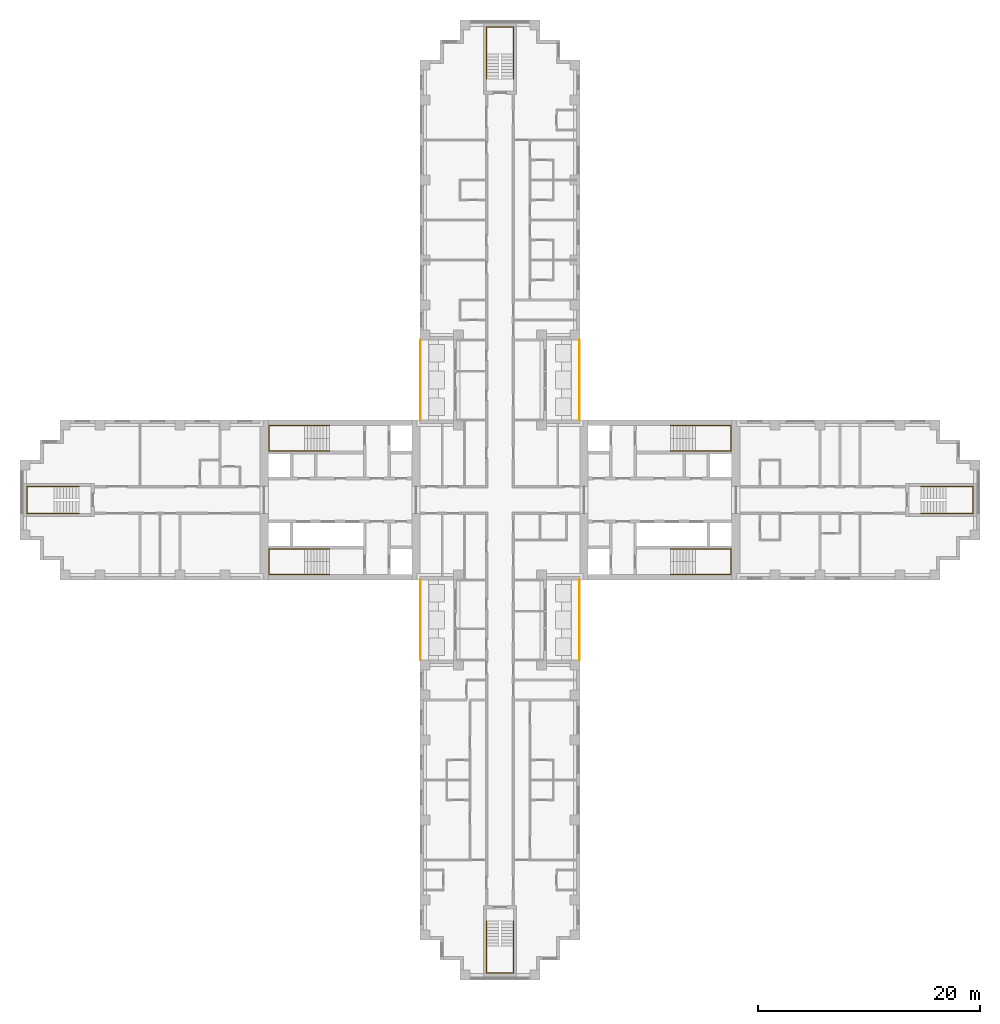
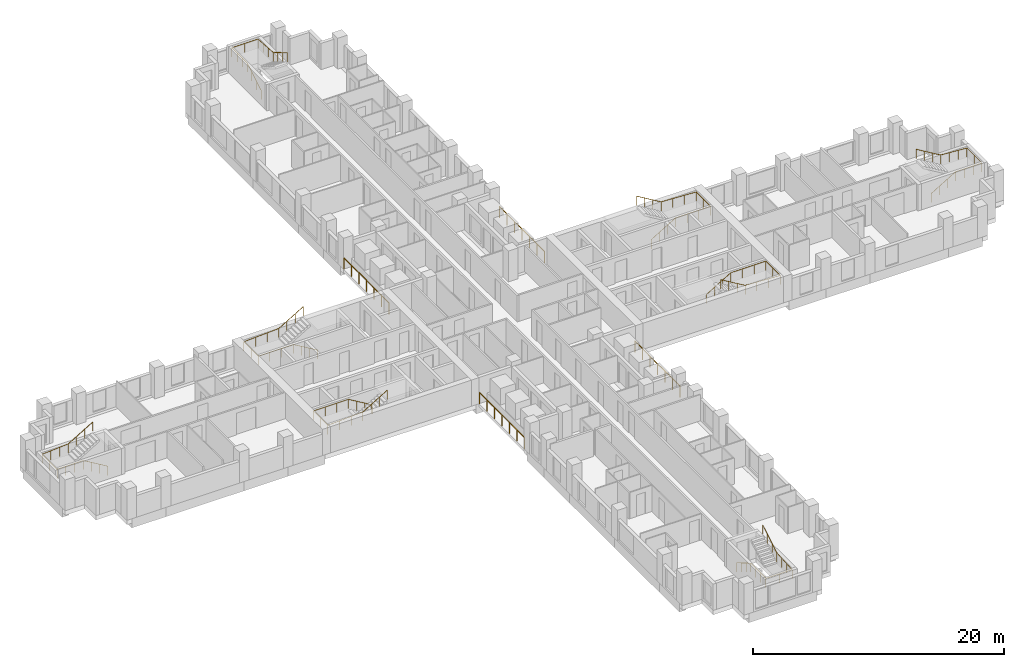
# One storey, part 14 of 15: 12 railings.
"""IFC4 building model written with IfcOpenShell, lengths in metres."""

from ifc_helpers import new_model, si_unit, direction, frame, origin, origin_2d, place, context, subcontext, project, spatial, circle, extrude, material, type_object, element, save


model = new_model("IFC4")

# Units and contexts
model_context = context("Model", 3, precision=1e-05, world=origin(), true_north=direction((0.0, 1.0)))
body_context = subcontext(model_context, "Body", "Model", "MODEL_VIEW")
ifc_project = project(units=[si_unit("LENGTHUNIT", "METRE"), si_unit("AREAUNIT", "SQUARE_METRE"), si_unit("VOLUMEUNIT", "CUBIC_METRE"), si_unit("PLANEANGLEUNIT", "RADIAN"), si_unit("MASSUNIT", "GRAM", prefix="KILO")], contexts=[model_context])

# Site, building, storey
site_placement = place(None, origin())
site = spatial("IfcSite", under=ifc_project, at=site_placement, CompositionType="ELEMENT")
building_placement = place(site_placement, origin())
building = spatial("IfcBuilding", under=site, at=building_placement, Name="Fustian Cross Tower", CompositionType="ELEMENT")
storey_placement = place(building_placement, frame((0.0, 0.0, 59.699951171875)))
storey = spatial("IfcBuildingStorey", under=building, at=storey_placement, Name="L18", CompositionType="ELEMENT", Elevation=59.699951171875)

# Railings
ifc_material_1 = material(Name="Stainless steel and glass", Category="steel")
railing_type_1 = type_object("IfcRailingType", Name="GR1 BALCONY GUARD 1100", PredefinedType="GUARDRAIL", material=ifc_material_1)
for number, where, name in (
    (1, (7.14990234375, 7.199951171875, 0.0), "Balcony guard"),
    (2, (-7.14990234375, 7.199951171875, 0.0), "Balcony guard"),
    (3, (7.14990234375, -14.39990234375, 0.0), "Balcony guard"),
    (4, (-7.14990234375, -14.39990234375, 0.0), "Balcony guard"),
):
    element("IfcRailing", number, at=place(storey_placement, frame(where)), inside=storey, type_object=railing_type_1, Name=name, PredefinedType="GUARDRAIL", context=body_context, shape_type="SweptSolid", body=[
        extrude(circle(Radius=0.02392578125, at=origin_2d()), frame((0.0, 0.0, 1.076171875), z_axis=(0.0, 1.0, 0.0), x_axis=(-1.0, 0.0, 0.0)), (0.0, 0.0, 1.0), 7.199951171875),
        extrude(circle(Radius=0.02099609375, at=origin_2d()), origin(), (0.0, 0.0, 1.0), 1.052001953125),
        extrude(circle(Radius=0.02099609375, at=origin_2d()), frame((0.0, 1.199951171875, 0.0)), (0.0, 0.0, 1.0), 1.052001953125),
        extrude(circle(Radius=0.02099609375, at=origin_2d()), frame((0.0, 2.39990234375, 0.0)), (0.0, 0.0, 1.0), 1.052001953125),
        extrude(circle(Radius=0.02099609375, at=origin_2d()), frame((0.0, 3.60009765625, 0.0)), (0.0, 0.0, 1.0), 1.052001953125),
        extrude(circle(Radius=0.02099609375, at=origin_2d()), frame((0.0, 4.800048828125, 0.0)), (0.0, 0.0, 1.0), 1.052001953125),
        extrude(circle(Radius=0.02099609375, at=origin_2d()), frame((0.0, 6.0, 0.0)), (0.0, 0.0, 1.0), 1.052001953125),
        extrude(circle(Radius=0.02099609375, at=origin_2d()), frame((0.0, 7.199951171875, 0.0)), (0.0, 0.0, 1.0), 1.052001953125),
    ])
ifc_material_2 = material(Name="Stainless steel", Category="steel")
railing_type_2 = type_object("IfcRailingType", Name="STAIR HANDRAIL", PredefinedType="HANDRAIL", material=ifc_material_2)
railing_1_placement = place(storey_placement, frame((15.35009765625, 4.39990234375, 0.166748046875)))
element("IfcRailing", 5, at=railing_1_placement, inside=storey, type_object=railing_type_2, Name="Stair ST1 handrail 1", PredefinedType="HANDRAIL", context=body_context, shape_type="SweptSolid", body=[
    extrude(circle(Radius=0.02490234375, at=origin_2d()), frame((0.0, 0.0, 0.875), z_axis=(0.859305625298, 0.0, 0.511462454469), x_axis=(0.0, 1.0, 0.0)), (0.0, 0.0, 1.0), 2.606689453125),
    extrude(circle(Radius=0.02490234375, at=origin_2d()), frame((2.239990234375, 0.0, 2.2080078125), z_axis=(1.0, 0.0, 0.0), x_axis=(0.0, 1.0, 0.0)), (0.0, 0.0, 1.0), 3.219970703125),
    extrude(circle(Radius=0.02490234375, at=origin_2d()), frame((5.4599609375, 0.0, 2.2080078125), z_axis=(0.0, 1.0, 0.0), x_axis=(-1.0, 0.0, 0.0)), (0.0, 0.0, 1.0), 2.300048828125),
    extrude(circle(Radius=0.02490234375, at=origin_2d()), frame((5.4599609375, 2.300048828125, 2.2080078125), z_axis=(-0.998661817807, 0.0, 0.051716280352), x_axis=(0.0, -1.0, 0.0)), (0.0, 0.0, 1.0), 3.224365234375),
    extrude(circle(Radius=0.02490234375, at=origin_2d()), frame((2.239990234375, 2.300048828125, 2.375), z_axis=(-0.859305625298, 0.0, 0.511462454469), x_axis=(0.0, -1.0, 0.0)), (0.0, 0.0, 1.0), 2.606689453125),
    extrude(circle(Radius=0.02001953125, at=origin_2d()), origin(), (0.0, 0.0, 1.0), 0.849853515625),
    extrude(circle(Radius=0.02001953125, at=origin_2d()), frame((0.74658203125, 0.0, 0.4443359375)), (0.0, 0.0, 1.0), 0.849853515625),
    extrude(circle(Radius=0.02001953125, at=origin_2d()), frame((1.493408203125, 0.0, 0.888916015625)), (0.0, 0.0, 1.0), 0.849853515625),
    extrude(circle(Radius=0.02001953125, at=origin_2d()), frame((2.239990234375, 0.0, 1.333251953125)), (0.0, 0.0, 1.0), 0.849853515625),
    extrude(circle(Radius=0.02001953125, at=origin_2d()), frame((3.313232421875, 0.0, 1.333251953125)), (0.0, 0.0, 1.0), 0.849853515625),
    extrude(circle(Radius=0.02001953125, at=origin_2d()), frame((4.38671875, 0.0, 1.333251953125)), (0.0, 0.0, 1.0), 0.849853515625),
    extrude(circle(Radius=0.02001953125, at=origin_2d()), frame((5.4599609375, 0.0, 1.333251953125)), (0.0, 0.0, 1.0), 0.849853515625),
    extrude(circle(Radius=0.02001953125, at=origin_2d()), frame((5.4599609375, 1.14990234375, 1.333251953125)), (0.0, 0.0, 1.0), 0.849853515625),
    extrude(circle(Radius=0.02001953125, at=origin_2d()), frame((5.4599609375, 2.300048828125, 1.333251953125)), (0.0, 0.0, 1.0), 0.849853515625),
    extrude(circle(Radius=0.02001953125, at=origin_2d()), frame((4.38671875, 2.300048828125, 1.388916015625)), (0.0, 0.0, 1.0), 0.849853515625),
    extrude(circle(Radius=0.02001953125, at=origin_2d()), frame((3.313232421875, 2.300048828125, 1.4443359375)), (0.0, 0.0, 1.0), 0.849853515625),
    extrude(circle(Radius=0.02001953125, at=origin_2d()), frame((2.239990234375, 2.300048828125, 1.5)), (0.0, 0.0, 1.0), 0.849853515625),
    extrude(circle(Radius=0.02001953125, at=origin_2d()), frame((1.493408203125, 2.300048828125, 1.9443359375)), (0.0, 0.0, 1.0), 0.849853515625),
    extrude(circle(Radius=0.02001953125, at=origin_2d()), frame((0.74658203125, 2.300048828125, 2.388916015625)), (0.0, 0.0, 1.0), 0.849853515625),
    extrude(circle(Radius=0.02001953125, at=origin_2d()), frame((0.0, 2.300048828125, 2.833251953125)), (0.0, 0.0, 1.0), 0.849853515625),
])
railing_2_placement = place(storey_placement, frame((15.35009765625, -4.39990234375, 0.166748046875)))
element("IfcRailing", 6, at=railing_2_placement, inside=storey, type_object=railing_type_2, Name="Stair ST2 handrail 1", PredefinedType="HANDRAIL", context=body_context, shape_type="SweptSolid", body=[
    extrude(circle(Radius=0.02490234375, at=origin_2d()), frame((0.0, 0.0, 0.875), z_axis=(0.859305625298, 0.0, 0.511462454469), x_axis=(0.0, 1.0, 0.0)), (0.0, 0.0, 1.0), 2.606689453125),
    extrude(circle(Radius=0.02490234375, at=origin_2d()), frame((2.239990234375, 0.0, 2.2080078125), z_axis=(1.0, 0.0, 0.0), x_axis=(0.0, 1.0, 0.0)), (0.0, 0.0, 1.0), 3.219970703125),
    extrude(circle(Radius=0.02490234375, at=origin_2d()), frame((5.4599609375, 0.0, 2.2080078125), z_axis=(0.0, -1.0, 0.0), x_axis=(1.0, 0.0, 0.0)), (0.0, 0.0, 1.0), 2.300048828125),
    extrude(circle(Radius=0.02490234375, at=origin_2d()), frame((5.4599609375, -2.300048828125, 2.2080078125), z_axis=(-0.998661817807, 0.0, 0.051716280352), x_axis=(0.0, -1.0, 0.0)), (0.0, 0.0, 1.0), 3.224365234375),
    extrude(circle(Radius=0.02490234375, at=origin_2d()), frame((2.239990234375, -2.300048828125, 2.375), z_axis=(-0.859305625298, 0.0, 0.511462454469), x_axis=(0.0, -1.0, 0.0)), (0.0, 0.0, 1.0), 2.606689453125),
    extrude(circle(Radius=0.02001953125, at=origin_2d()), origin(), (0.0, 0.0, 1.0), 0.849853515625),
    extrude(circle(Radius=0.02001953125, at=origin_2d()), frame((0.74658203125, 0.0, 0.4443359375)), (0.0, 0.0, 1.0), 0.849853515625),
    extrude(circle(Radius=0.02001953125, at=origin_2d()), frame((1.493408203125, 0.0, 0.888916015625)), (0.0, 0.0, 1.0), 0.849853515625),
    extrude(circle(Radius=0.02001953125, at=origin_2d()), frame((2.239990234375, 0.0, 1.333251953125)), (0.0, 0.0, 1.0), 0.849853515625),
    extrude(circle(Radius=0.02001953125, at=origin_2d()), frame((3.313232421875, 0.0, 1.333251953125)), (0.0, 0.0, 1.0), 0.849853515625),
    extrude(circle(Radius=0.02001953125, at=origin_2d()), frame((4.38671875, 0.0, 1.333251953125)), (0.0, 0.0, 1.0), 0.849853515625),
    extrude(circle(Radius=0.02001953125, at=origin_2d()), frame((5.4599609375, 0.0, 1.333251953125)), (0.0, 0.0, 1.0), 0.849853515625),
    extrude(circle(Radius=0.02001953125, at=origin_2d()), frame((5.4599609375, -1.14990234375, 1.333251953125)), (0.0, 0.0, 1.0), 0.849853515625),
    extrude(circle(Radius=0.02001953125, at=origin_2d()), frame((5.4599609375, -2.300048828125, 1.333251953125)), (0.0, 0.0, 1.0), 0.849853515625),
    extrude(circle(Radius=0.02001953125, at=origin_2d()), frame((4.38671875, -2.300048828125, 1.388916015625)), (0.0, 0.0, 1.0), 0.849853515625),
    extrude(circle(Radius=0.02001953125, at=origin_2d()), frame((3.313232421875, -2.300048828125, 1.4443359375)), (0.0, 0.0, 1.0), 0.849853515625),
    extrude(circle(Radius=0.02001953125, at=origin_2d()), frame((2.239990234375, -2.300048828125, 1.5)), (0.0, 0.0, 1.0), 0.849853515625),
    extrude(circle(Radius=0.02001953125, at=origin_2d()), frame((1.493408203125, -2.300048828125, 1.9443359375)), (0.0, 0.0, 1.0), 0.849853515625),
    extrude(circle(Radius=0.02001953125, at=origin_2d()), frame((0.74658203125, -2.300048828125, 2.388916015625)), (0.0, 0.0, 1.0), 0.849853515625),
    extrude(circle(Radius=0.02001953125, at=origin_2d()), frame((0.0, -2.300048828125, 2.833251953125)), (0.0, 0.0, 1.0), 0.849853515625),
])
railing_3_placement = place(storey_placement, frame((-15.35009765625, 4.39990234375, 0.166748046875)))
element("IfcRailing", 7, at=railing_3_placement, inside=storey, type_object=railing_type_2, Name="Stair ST3 handrail 1", PredefinedType="HANDRAIL", context=body_context, shape_type="SweptSolid", body=[
    extrude(circle(Radius=0.02490234375, at=origin_2d()), frame((0.0, 0.0, 0.875), z_axis=(-0.859305625298, 0.0, 0.511462454469), x_axis=(0.0, -1.0, 0.0)), (0.0, 0.0, 1.0), 2.606689453125),
    extrude(circle(Radius=0.02490234375, at=origin_2d()), frame((-2.239990234375, 0.0, 2.2080078125), z_axis=(-1.0, 0.0, 0.0), x_axis=(0.0, -1.0, 0.0)), (0.0, 0.0, 1.0), 3.219970703125),
    extrude(circle(Radius=0.02490234375, at=origin_2d()), frame((-5.4599609375, 0.0, 2.2080078125), z_axis=(0.0, 1.0, 0.0), x_axis=(-1.0, 0.0, 0.0)), (0.0, 0.0, 1.0), 2.300048828125),
    extrude(circle(Radius=0.02490234375, at=origin_2d()), frame((-5.4599609375, 2.300048828125, 2.2080078125), z_axis=(0.998661817807, 0.0, 0.051716280352), x_axis=(0.0, 1.0, 0.0)), (0.0, 0.0, 1.0), 3.224365234375),
    extrude(circle(Radius=0.02490234375, at=origin_2d()), frame((-2.239990234375, 2.300048828125, 2.375), z_axis=(0.859305625298, 0.0, 0.511462454469), x_axis=(0.0, 1.0, 0.0)), (0.0, 0.0, 1.0), 2.606689453125),
    extrude(circle(Radius=0.02001953125, at=origin_2d()), origin(), (0.0, 0.0, 1.0), 0.849853515625),
    extrude(circle(Radius=0.02001953125, at=origin_2d()), frame((-0.74658203125, 0.0, 0.4443359375)), (0.0, 0.0, 1.0), 0.849853515625),
    extrude(circle(Radius=0.02001953125, at=origin_2d()), frame((-1.493408203125, 0.0, 0.888916015625)), (0.0, 0.0, 1.0), 0.849853515625),
    extrude(circle(Radius=0.02001953125, at=origin_2d()), frame((-2.239990234375, 0.0, 1.333251953125)), (0.0, 0.0, 1.0), 0.849853515625),
    extrude(circle(Radius=0.02001953125, at=origin_2d()), frame((-3.313232421875, 0.0, 1.333251953125)), (0.0, 0.0, 1.0), 0.849853515625),
    extrude(circle(Radius=0.02001953125, at=origin_2d()), frame((-4.38671875, 0.0, 1.333251953125)), (0.0, 0.0, 1.0), 0.849853515625),
    extrude(circle(Radius=0.02001953125, at=origin_2d()), frame((-5.4599609375, 0.0, 1.333251953125)), (0.0, 0.0, 1.0), 0.849853515625),
    extrude(circle(Radius=0.02001953125, at=origin_2d()), frame((-5.4599609375, 1.14990234375, 1.333251953125)), (0.0, 0.0, 1.0), 0.849853515625),
    extrude(circle(Radius=0.02001953125, at=origin_2d()), frame((-5.4599609375, 2.300048828125, 1.333251953125)), (0.0, 0.0, 1.0), 0.849853515625),
    extrude(circle(Radius=0.02001953125, at=origin_2d()), frame((-4.38671875, 2.300048828125, 1.388916015625)), (0.0, 0.0, 1.0), 0.849853515625),
    extrude(circle(Radius=0.02001953125, at=origin_2d()), frame((-3.313232421875, 2.300048828125, 1.4443359375)), (0.0, 0.0, 1.0), 0.849853515625),
    extrude(circle(Radius=0.02001953125, at=origin_2d()), frame((-2.239990234375, 2.300048828125, 1.5)), (0.0, 0.0, 1.0), 0.849853515625),
    extrude(circle(Radius=0.02001953125, at=origin_2d()), frame((-1.493408203125, 2.300048828125, 1.9443359375)), (0.0, 0.0, 1.0), 0.849853515625),
    extrude(circle(Radius=0.02001953125, at=origin_2d()), frame((-0.74658203125, 2.300048828125, 2.388916015625)), (0.0, 0.0, 1.0), 0.849853515625),
    extrude(circle(Radius=0.02001953125, at=origin_2d()), frame((0.0, 2.300048828125, 2.833251953125)), (0.0, 0.0, 1.0), 0.849853515625),
])
railing_4_placement = place(storey_placement, frame((-15.35009765625, -4.39990234375, 0.166748046875)))
element("IfcRailing", 8, at=railing_4_placement, inside=storey, type_object=railing_type_2, Name="Stair ST4 handrail 1", PredefinedType="HANDRAIL", context=body_context, shape_type="SweptSolid", body=[
    extrude(circle(Radius=0.02490234375, at=origin_2d()), frame((0.0, 0.0, 0.875), z_axis=(-0.859305625298, 0.0, 0.511462454469), x_axis=(0.0, -1.0, 0.0)), (0.0, 0.0, 1.0), 2.606689453125),
    extrude(circle(Radius=0.02490234375, at=origin_2d()), frame((-2.239990234375, 0.0, 2.2080078125), z_axis=(-1.0, 0.0, 0.0), x_axis=(0.0, -1.0, 0.0)), (0.0, 0.0, 1.0), 3.219970703125),
    extrude(circle(Radius=0.02490234375, at=origin_2d()), frame((-5.4599609375, 0.0, 2.2080078125), z_axis=(0.0, -1.0, 0.0), x_axis=(1.0, 0.0, 0.0)), (0.0, 0.0, 1.0), 2.300048828125),
    extrude(circle(Radius=0.02490234375, at=origin_2d()), frame((-5.4599609375, -2.300048828125, 2.2080078125), z_axis=(0.998661817807, 0.0, 0.051716280352), x_axis=(0.0, 1.0, 0.0)), (0.0, 0.0, 1.0), 3.224365234375),
    extrude(circle(Radius=0.02490234375, at=origin_2d()), frame((-2.239990234375, -2.300048828125, 2.375), z_axis=(0.859305625298, 0.0, 0.511462454469), x_axis=(0.0, 1.0, 0.0)), (0.0, 0.0, 1.0), 2.606689453125),
    extrude(circle(Radius=0.02001953125, at=origin_2d()), origin(), (0.0, 0.0, 1.0), 0.849853515625),
    extrude(circle(Radius=0.02001953125, at=origin_2d()), frame((-0.74658203125, 0.0, 0.4443359375)), (0.0, 0.0, 1.0), 0.849853515625),
    extrude(circle(Radius=0.02001953125, at=origin_2d()), frame((-1.493408203125, 0.0, 0.888916015625)), (0.0, 0.0, 1.0), 0.849853515625),
    extrude(circle(Radius=0.02001953125, at=origin_2d()), frame((-2.239990234375, 0.0, 1.333251953125)), (0.0, 0.0, 1.0), 0.849853515625),
    extrude(circle(Radius=0.02001953125, at=origin_2d()), frame((-3.313232421875, 0.0, 1.333251953125)), (0.0, 0.0, 1.0), 0.849853515625),
    extrude(circle(Radius=0.02001953125, at=origin_2d()), frame((-4.38671875, 0.0, 1.333251953125)), (0.0, 0.0, 1.0), 0.849853515625),
    extrude(circle(Radius=0.02001953125, at=origin_2d()), frame((-5.4599609375, 0.0, 1.333251953125)), (0.0, 0.0, 1.0), 0.849853515625),
    extrude(circle(Radius=0.02001953125, at=origin_2d()), frame((-5.4599609375, -1.14990234375, 1.333251953125)), (0.0, 0.0, 1.0), 0.849853515625),
    extrude(circle(Radius=0.02001953125, at=origin_2d()), frame((-5.4599609375, -2.300048828125, 1.333251953125)), (0.0, 0.0, 1.0), 0.849853515625),
    extrude(circle(Radius=0.02001953125, at=origin_2d()), frame((-4.38671875, -2.300048828125, 1.388916015625)), (0.0, 0.0, 1.0), 0.849853515625),
    extrude(circle(Radius=0.02001953125, at=origin_2d()), frame((-3.313232421875, -2.300048828125, 1.4443359375)), (0.0, 0.0, 1.0), 0.849853515625),
    extrude(circle(Radius=0.02001953125, at=origin_2d()), frame((-2.239990234375, -2.300048828125, 1.5)), (0.0, 0.0, 1.0), 0.849853515625),
    extrude(circle(Radius=0.02001953125, at=origin_2d()), frame((-1.493408203125, -2.300048828125, 1.9443359375)), (0.0, 0.0, 1.0), 0.849853515625),
    extrude(circle(Radius=0.02001953125, at=origin_2d()), frame((-0.74658203125, -2.300048828125, 2.388916015625)), (0.0, 0.0, 1.0), 0.849853515625),
    extrude(circle(Radius=0.02001953125, at=origin_2d()), frame((0.0, -2.300048828125, 2.833251953125)), (0.0, 0.0, 1.0), 0.849853515625),
])
railing_5_placement = place(storey_placement, frame((-1.199951171875, 37.89990234375, 0.166748046875)))
element("IfcRailing", 9, at=railing_5_placement, inside=storey, type_object=railing_type_2, Name="Stair ST5 handrail 1", PredefinedType="HANDRAIL", context=body_context, shape_type="SweptSolid", body=[
    extrude(circle(Radius=0.02490234375, at=origin_2d()), frame((0.0, 0.0, 0.875), z_axis=(0.0, 0.859305625298, 0.511462454469), x_axis=(-1.0, 0.0, 0.0)), (0.0, 0.0, 1.0), 2.606689453125),
    extrude(circle(Radius=0.02490234375, at=origin_2d()), frame((0.0, 2.239990234375, 2.2080078125), z_axis=(0.0, 1.0, 0.0), x_axis=(-1.0, 0.0, 0.0)), (0.0, 0.0, 1.0), 2.420166015625),
    extrude(circle(Radius=0.02490234375, at=origin_2d()), frame((0.0, 4.66015625, 2.2080078125), z_axis=(1.0, 0.0, 0.0), x_axis=(0.0, 1.0, 0.0)), (0.0, 0.0, 1.0), 2.39990234375),
    extrude(circle(Radius=0.02490234375, at=origin_2d()), frame((2.39990234375, 4.66015625, 2.2080078125), z_axis=(0.0, -0.997634852044, 0.068736467663), x_axis=(1.0, 0.0, 0.0)), (0.0, 0.0, 1.0), 2.426025390625),
    extrude(circle(Radius=0.02490234375, at=origin_2d()), frame((2.39990234375, 2.239990234375, 2.375), z_axis=(0.0, -0.859305625298, 0.511462454469), x_axis=(1.0, 0.0, 0.0)), (0.0, 0.0, 1.0), 2.606689453125),
    extrude(circle(Radius=0.02001953125, at=origin_2d()), origin(), (0.0, 0.0, 1.0), 0.849853515625),
    extrude(circle(Radius=0.02001953125, at=origin_2d()), frame((0.0, 0.74658203125, 0.4443359375)), (0.0, 0.0, 1.0), 0.849853515625),
    extrude(circle(Radius=0.02001953125, at=origin_2d()), frame((0.0, 1.493408203125, 0.888916015625)), (0.0, 0.0, 1.0), 0.849853515625),
    extrude(circle(Radius=0.02001953125, at=origin_2d()), frame((0.0, 2.239990234375, 1.333251953125)), (0.0, 0.0, 1.0), 0.849853515625),
    extrude(circle(Radius=0.02001953125, at=origin_2d()), frame((0.0, 3.046630859375, 1.333251953125)), (0.0, 0.0, 1.0), 0.849853515625),
    extrude(circle(Radius=0.02001953125, at=origin_2d()), frame((0.0, 3.853515625, 1.333251953125)), (0.0, 0.0, 1.0), 0.849853515625),
    extrude(circle(Radius=0.02001953125, at=origin_2d()), frame((0.0, 4.66015625, 1.333251953125)), (0.0, 0.0, 1.0), 0.849853515625),
    extrude(circle(Radius=0.02001953125, at=origin_2d()), frame((1.199951171875, 4.66015625, 1.333251953125)), (0.0, 0.0, 1.0), 0.849853515625),
    extrude(circle(Radius=0.02001953125, at=origin_2d()), frame((2.39990234375, 4.66015625, 1.333251953125)), (0.0, 0.0, 1.0), 0.849853515625),
    extrude(circle(Radius=0.02001953125, at=origin_2d()), frame((2.39990234375, 3.853515625, 1.388916015625)), (0.0, 0.0, 1.0), 0.849853515625),
    extrude(circle(Radius=0.02001953125, at=origin_2d()), frame((2.39990234375, 3.046630859375, 1.4443359375)), (0.0, 0.0, 1.0), 0.849853515625),
    extrude(circle(Radius=0.02001953125, at=origin_2d()), frame((2.39990234375, 2.239990234375, 1.5)), (0.0, 0.0, 1.0), 0.849853515625),
    extrude(circle(Radius=0.02001953125, at=origin_2d()), frame((2.39990234375, 1.493408203125, 1.9443359375)), (0.0, 0.0, 1.0), 0.849853515625),
    extrude(circle(Radius=0.02001953125, at=origin_2d()), frame((2.39990234375, 0.74658203125, 2.388916015625)), (0.0, 0.0, 1.0), 0.849853515625),
    extrude(circle(Radius=0.02001953125, at=origin_2d()), frame((2.39990234375, 0.0, 2.833251953125)), (0.0, 0.0, 1.0), 0.849853515625),
])
railing_6_placement = place(storey_placement, frame((-1.199951171875, -37.89990234375, 0.166748046875)))
element("IfcRailing", 10, at=railing_6_placement, inside=storey, type_object=railing_type_2, Name="Stair ST6 handrail 1", PredefinedType="HANDRAIL", context=body_context, shape_type="SweptSolid", body=[
    extrude(circle(Radius=0.02490234375, at=origin_2d()), frame((0.0, 0.0, 0.875), z_axis=(0.0, -0.859305625298, 0.511462454469), x_axis=(1.0, 0.0, 0.0)), (0.0, 0.0, 1.0), 2.606689453125),
    extrude(circle(Radius=0.02490234375, at=origin_2d()), frame((0.0, -2.239990234375, 2.2080078125), z_axis=(0.0, -1.0, 0.0), x_axis=(1.0, 0.0, 0.0)), (0.0, 0.0, 1.0), 2.420166015625),
    extrude(circle(Radius=0.02490234375, at=origin_2d()), frame((0.0, -4.66015625, 2.2080078125), z_axis=(1.0, 0.0, 0.0), x_axis=(0.0, 1.0, 0.0)), (0.0, 0.0, 1.0), 2.39990234375),
    extrude(circle(Radius=0.02490234375, at=origin_2d()), frame((2.39990234375, -4.66015625, 2.2080078125), z_axis=(0.0, 0.997634852044, 0.068736467663), x_axis=(-1.0, 0.0, 0.0)), (0.0, 0.0, 1.0), 2.426025390625),
    extrude(circle(Radius=0.02490234375, at=origin_2d()), frame((2.39990234375, -2.239990234375, 2.375), z_axis=(0.0, 0.859305625298, 0.511462454469), x_axis=(-1.0, 0.0, 0.0)), (0.0, 0.0, 1.0), 2.606689453125),
    extrude(circle(Radius=0.02001953125, at=origin_2d()), origin(), (0.0, 0.0, 1.0), 0.849853515625),
    extrude(circle(Radius=0.02001953125, at=origin_2d()), frame((0.0, -0.74658203125, 0.4443359375)), (0.0, 0.0, 1.0), 0.849853515625),
    extrude(circle(Radius=0.02001953125, at=origin_2d()), frame((0.0, -1.493408203125, 0.888916015625)), (0.0, 0.0, 1.0), 0.849853515625),
    extrude(circle(Radius=0.02001953125, at=origin_2d()), frame((0.0, -2.239990234375, 1.333251953125)), (0.0, 0.0, 1.0), 0.849853515625),
    extrude(circle(Radius=0.02001953125, at=origin_2d()), frame((0.0, -3.046630859375, 1.333251953125)), (0.0, 0.0, 1.0), 0.849853515625),
    extrude(circle(Radius=0.02001953125, at=origin_2d()), frame((0.0, -3.853515625, 1.333251953125)), (0.0, 0.0, 1.0), 0.849853515625),
    extrude(circle(Radius=0.02001953125, at=origin_2d()), frame((0.0, -4.66015625, 1.333251953125)), (0.0, 0.0, 1.0), 0.849853515625),
    extrude(circle(Radius=0.02001953125, at=origin_2d()), frame((1.199951171875, -4.66015625, 1.333251953125)), (0.0, 0.0, 1.0), 0.849853515625),
    extrude(circle(Radius=0.02001953125, at=origin_2d()), frame((2.39990234375, -4.66015625, 1.333251953125)), (0.0, 0.0, 1.0), 0.849853515625),
    extrude(circle(Radius=0.02001953125, at=origin_2d()), frame((2.39990234375, -3.853515625, 1.388916015625)), (0.0, 0.0, 1.0), 0.849853515625),
    extrude(circle(Radius=0.02001953125, at=origin_2d()), frame((2.39990234375, -3.046630859375, 1.4443359375)), (0.0, 0.0, 1.0), 0.849853515625),
    extrude(circle(Radius=0.02001953125, at=origin_2d()), frame((2.39990234375, -2.239990234375, 1.5)), (0.0, 0.0, 1.0), 0.849853515625),
    extrude(circle(Radius=0.02001953125, at=origin_2d()), frame((2.39990234375, -1.493408203125, 1.9443359375)), (0.0, 0.0, 1.0), 0.849853515625),
    extrude(circle(Radius=0.02001953125, at=origin_2d()), frame((2.39990234375, -0.74658203125, 2.388916015625)), (0.0, 0.0, 1.0), 0.849853515625),
    extrude(circle(Radius=0.02001953125, at=origin_2d()), frame((2.39990234375, 0.0, 2.833251953125)), (0.0, 0.0, 1.0), 0.849853515625),
])
railing_7_placement = place(storey_placement, frame((37.89990234375, -1.199951171875, 0.166748046875)))
element("IfcRailing", 11, at=railing_7_placement, inside=storey, type_object=railing_type_2, Name="Stair ST8 handrail 1", PredefinedType="HANDRAIL", context=body_context, shape_type="SweptSolid", body=[
    extrude(circle(Radius=0.02490234375, at=origin_2d()), frame((0.0, 0.0, 0.875), z_axis=(0.859305625298, 0.0, 0.511462454469), x_axis=(0.0, 1.0, 0.0)), (0.0, 0.0, 1.0), 2.606689453125),
    extrude(circle(Radius=0.02490234375, at=origin_2d()), frame((2.239990234375, 0.0, 2.2080078125), z_axis=(1.0, 0.0, 0.0), x_axis=(0.0, 1.0, 0.0)), (0.0, 0.0, 1.0), 2.420166015625),
    extrude(circle(Radius=0.02490234375, at=origin_2d()), frame((4.66015625, 0.0, 2.2080078125), z_axis=(0.0, 1.0, 0.0), x_axis=(-1.0, 0.0, 0.0)), (0.0, 0.0, 1.0), 2.39990234375),
    extrude(circle(Radius=0.02490234375, at=origin_2d()), frame((4.66015625, 2.39990234375, 2.2080078125), z_axis=(-0.997634852044, 0.0, 0.068736467663), x_axis=(0.0, -1.0, 0.0)), (0.0, 0.0, 1.0), 2.426025390625),
    extrude(circle(Radius=0.02490234375, at=origin_2d()), frame((2.239990234375, 2.39990234375, 2.375), z_axis=(-0.859305625298, 0.0, 0.511462454469), x_axis=(0.0, -1.0, 0.0)), (0.0, 0.0, 1.0), 2.606689453125),
    extrude(circle(Radius=0.02001953125, at=origin_2d()), origin(), (0.0, 0.0, 1.0), 0.849853515625),
    extrude(circle(Radius=0.02001953125, at=origin_2d()), frame((0.74658203125, 0.0, 0.4443359375)), (0.0, 0.0, 1.0), 0.849853515625),
    extrude(circle(Radius=0.02001953125, at=origin_2d()), frame((1.493408203125, 0.0, 0.888916015625)), (0.0, 0.0, 1.0), 0.849853515625),
    extrude(circle(Radius=0.02001953125, at=origin_2d()), frame((2.239990234375, 0.0, 1.333251953125)), (0.0, 0.0, 1.0), 0.849853515625),
    extrude(circle(Radius=0.02001953125, at=origin_2d()), frame((3.046630859375, 0.0, 1.333251953125)), (0.0, 0.0, 1.0), 0.849853515625),
    extrude(circle(Radius=0.02001953125, at=origin_2d()), frame((3.853515625, 0.0, 1.333251953125)), (0.0, 0.0, 1.0), 0.849853515625),
    extrude(circle(Radius=0.02001953125, at=origin_2d()), frame((4.66015625, 0.0, 1.333251953125)), (0.0, 0.0, 1.0), 0.849853515625),
    extrude(circle(Radius=0.02001953125, at=origin_2d()), frame((4.66015625, 1.199951171875, 1.333251953125)), (0.0, 0.0, 1.0), 0.849853515625),
    extrude(circle(Radius=0.02001953125, at=origin_2d()), frame((4.66015625, 2.39990234375, 1.333251953125)), (0.0, 0.0, 1.0), 0.849853515625),
    extrude(circle(Radius=0.02001953125, at=origin_2d()), frame((3.853515625, 2.39990234375, 1.388916015625)), (0.0, 0.0, 1.0), 0.849853515625),
    extrude(circle(Radius=0.02001953125, at=origin_2d()), frame((3.046630859375, 2.39990234375, 1.4443359375)), (0.0, 0.0, 1.0), 0.849853515625),
    extrude(circle(Radius=0.02001953125, at=origin_2d()), frame((2.239990234375, 2.39990234375, 1.5)), (0.0, 0.0, 1.0), 0.849853515625),
    extrude(circle(Radius=0.02001953125, at=origin_2d()), frame((1.493408203125, 2.39990234375, 1.9443359375)), (0.0, 0.0, 1.0), 0.849853515625),
    extrude(circle(Radius=0.02001953125, at=origin_2d()), frame((0.74658203125, 2.39990234375, 2.388916015625)), (0.0, 0.0, 1.0), 0.849853515625),
    extrude(circle(Radius=0.02001953125, at=origin_2d()), frame((0.0, 2.39990234375, 2.833251953125)), (0.0, 0.0, 1.0), 0.849853515625),
])
railing_8_placement = place(storey_placement, frame((-37.89990234375, -1.199951171875, 0.166748046875)))
element("IfcRailing", 12, at=railing_8_placement, inside=storey, type_object=railing_type_2, Name="Stair ST9 handrail 1", PredefinedType="HANDRAIL", context=body_context, shape_type="SweptSolid", body=[
    extrude(circle(Radius=0.02490234375, at=origin_2d()), frame((0.0, 0.0, 0.875), z_axis=(-0.859305625298, 0.0, 0.511462454469), x_axis=(0.0, -1.0, 0.0)), (0.0, 0.0, 1.0), 2.606689453125),
    extrude(circle(Radius=0.02490234375, at=origin_2d()), frame((-2.239990234375, 0.0, 2.2080078125), z_axis=(-1.0, 0.0, 0.0), x_axis=(0.0, -1.0, 0.0)), (0.0, 0.0, 1.0), 2.420166015625),
    extrude(circle(Radius=0.02490234375, at=origin_2d()), frame((-4.66015625, 0.0, 2.2080078125), z_axis=(0.0, 1.0, 0.0), x_axis=(-1.0, 0.0, 0.0)), (0.0, 0.0, 1.0), 2.39990234375),
    extrude(circle(Radius=0.02490234375, at=origin_2d()), frame((-4.66015625, 2.39990234375, 2.2080078125), z_axis=(0.997634852044, 0.0, 0.068736467663), x_axis=(0.0, 1.0, 0.0)), (0.0, 0.0, 1.0), 2.426025390625),
    extrude(circle(Radius=0.02490234375, at=origin_2d()), frame((-2.239990234375, 2.39990234375, 2.375), z_axis=(0.859305625298, 0.0, 0.511462454469), x_axis=(0.0, 1.0, 0.0)), (0.0, 0.0, 1.0), 2.606689453125),
    extrude(circle(Radius=0.02001953125, at=origin_2d()), origin(), (0.0, 0.0, 1.0), 0.849853515625),
    extrude(circle(Radius=0.02001953125, at=origin_2d()), frame((-0.74658203125, 0.0, 0.4443359375)), (0.0, 0.0, 1.0), 0.849853515625),
    extrude(circle(Radius=0.02001953125, at=origin_2d()), frame((-1.493408203125, 0.0, 0.888916015625)), (0.0, 0.0, 1.0), 0.849853515625),
    extrude(circle(Radius=0.02001953125, at=origin_2d()), frame((-2.239990234375, 0.0, 1.333251953125)), (0.0, 0.0, 1.0), 0.849853515625),
    extrude(circle(Radius=0.02001953125, at=origin_2d()), frame((-3.046630859375, 0.0, 1.333251953125)), (0.0, 0.0, 1.0), 0.849853515625),
    extrude(circle(Radius=0.02001953125, at=origin_2d()), frame((-3.853515625, 0.0, 1.333251953125)), (0.0, 0.0, 1.0), 0.849853515625),
    extrude(circle(Radius=0.02001953125, at=origin_2d()), frame((-4.66015625, 0.0, 1.333251953125)), (0.0, 0.0, 1.0), 0.849853515625),
    extrude(circle(Radius=0.02001953125, at=origin_2d()), frame((-4.66015625, 1.199951171875, 1.333251953125)), (0.0, 0.0, 1.0), 0.849853515625),
    extrude(circle(Radius=0.02001953125, at=origin_2d()), frame((-4.66015625, 2.39990234375, 1.333251953125)), (0.0, 0.0, 1.0), 0.849853515625),
    extrude(circle(Radius=0.02001953125, at=origin_2d()), frame((-3.853515625, 2.39990234375, 1.388916015625)), (0.0, 0.0, 1.0), 0.849853515625),
    extrude(circle(Radius=0.02001953125, at=origin_2d()), frame((-3.046630859375, 2.39990234375, 1.4443359375)), (0.0, 0.0, 1.0), 0.849853515625),
    extrude(circle(Radius=0.02001953125, at=origin_2d()), frame((-2.239990234375, 2.39990234375, 1.5)), (0.0, 0.0, 1.0), 0.849853515625),
    extrude(circle(Radius=0.02001953125, at=origin_2d()), frame((-1.493408203125, 2.39990234375, 1.9443359375)), (0.0, 0.0, 1.0), 0.849853515625),
    extrude(circle(Radius=0.02001953125, at=origin_2d()), frame((-0.74658203125, 2.39990234375, 2.388916015625)), (0.0, 0.0, 1.0), 0.849853515625),
    extrude(circle(Radius=0.02001953125, at=origin_2d()), frame((0.0, 2.39990234375, 2.833251953125)), (0.0, 0.0, 1.0), 0.849853515625),
])

save(model, "model.ifc")
